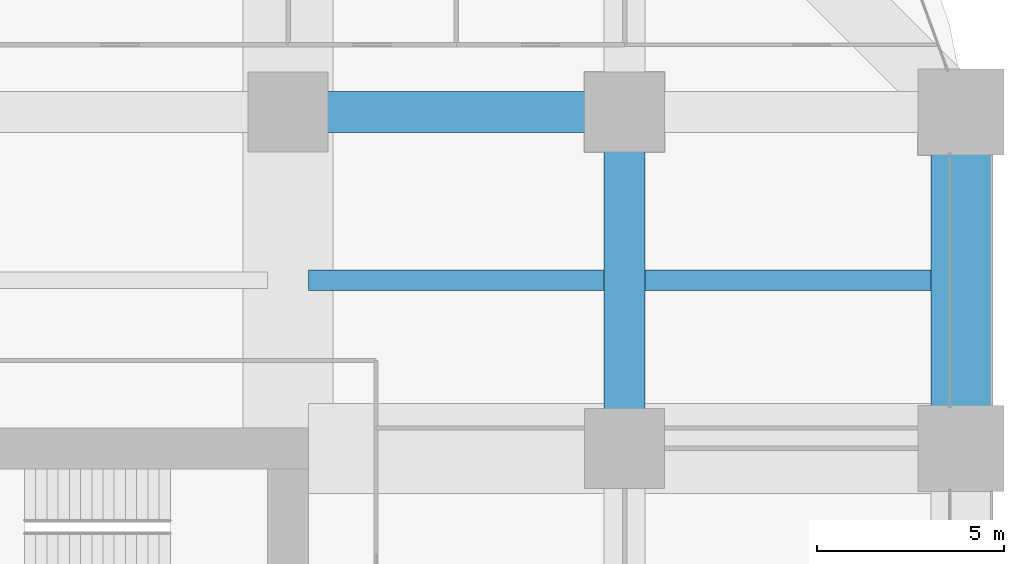
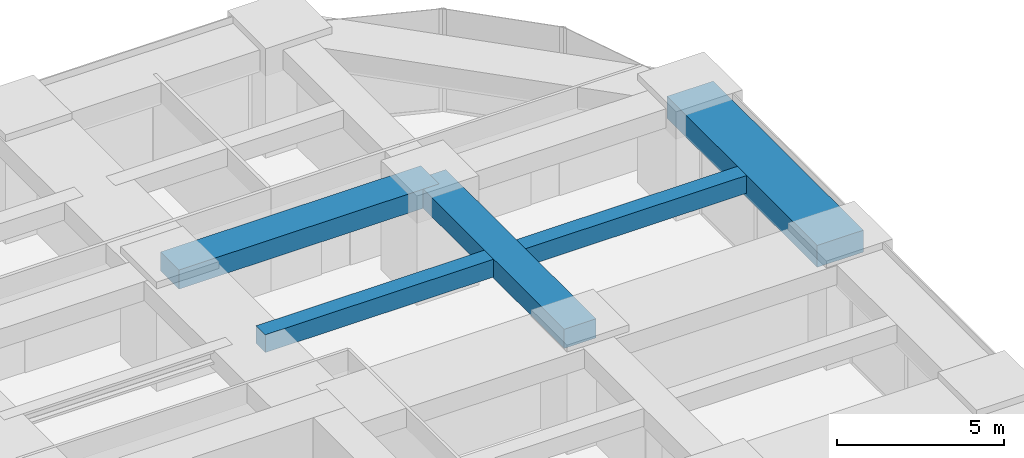
# One storey, part 32 of 43: 5 beams.
"""IFC4 building model written with IfcOpenShell, lengths in metres."""

from ifc_helpers import new_model, si_unit, direction, frame, origin, origin_2d, place, context, subcontext, project, spatial, rectangle, extrude, material, material_profile, profile_set, type_object, element, save


model = new_model("IFC4")

# Units and contexts
model_context = context("Model", 3, precision=1e-05, world=origin(), true_north=direction((0.0, 1.0)))
body_context = subcontext(model_context, "Body", "Model", "MODEL_VIEW")
ifc_project = project(units=[si_unit("LENGTHUNIT", "METRE"), si_unit("AREAUNIT", "SQUARE_METRE"), si_unit("VOLUMEUNIT", "CUBIC_METRE"), si_unit("PLANEANGLEUNIT", "RADIAN"), si_unit("MASSUNIT", "GRAM", prefix="KILO")], contexts=[model_context])

# Site, building, storey
site_placement = place(None, origin())
site = spatial("IfcSite", under=ifc_project, at=site_placement, CompositionType="ELEMENT")
building_placement = place(site_placement, origin())
building = spatial("IfcBuilding", under=site, at=building_placement, Name="Zorevar Civic Tower", CompositionType="ELEMENT")
storey_placement = place(building_placement, frame((0.0, 0.0, 67.800048828125)))
storey = spatial("IfcBuildingStorey", under=building, at=storey_placement, Name="L16", CompositionType="ELEMENT", Elevation=67.800048828125)

# Beams
ifc_material_1 = material(Name="Concrete C50/60", Category="concrete")
ifc_material_profile_1 = material_profile(ifc_material_1, rectangle(XDim=1.10009765625, YDim=0.699951171875, at=origin_2d()), Name="RC 1100x700")
ifc_profile_set_1 = profile_set([ifc_material_profile_1], Name="Concrete C50/60")
beam_type_1 = type_object("IfcBeamType", Name="Beam RC 1100x700", PredefinedType="BEAM", material=ifc_profile_set_1)
for number, where, z_axis, x_axis, name in (
    (1, (45.0, 45.0, 3.39990234375), (1.0, 0.0, 0.0), (0.0, 1.0, 0.0), "Girder L17"),
    (2, (54.0, 36.0, 3.39990234375), (0.0, 1.0, 0.0), (-1.0, 0.0, 0.0), "Girder L17"),
):
    element("IfcBeam", number, at=place(storey_placement, frame(where, z_axis=z_axis, x_axis=x_axis)), inside=storey, type_object=beam_type_1, Name=name, PredefinedType="BEAM", context=body_context, shape_type="SweptSolid", body=[
        extrude(rectangle(XDim=1.10009765625, YDim=0.699951171875, at=origin_2d()), origin(), (0.0, 0.0, 1.0), 9.0),
    ])
ifc_material_2 = material(Name="Concrete C50/60", Category="concrete")
ifc_material_profile_2 = material_profile(ifc_material_2, rectangle(XDim=0.550048828125, YDim=0.64990234375, at=origin_2d()), Name="RC 550x650")
ifc_profile_set_2 = profile_set([ifc_material_profile_2], Name="Concrete C50/60")
beam_type_2 = type_object("IfcBeamType", Name="Beam RC 550x650", PredefinedType="BEAM", material=ifc_profile_set_2)
beam_1_placement = place(storey_placement, frame((45.550048828125, 40.5, 3.425048828125), z_axis=(1.0, 0.0, 0.0), x_axis=(0.0, 1.0, 0.0)))
element("IfcBeam", 3, at=beam_1_placement, inside=storey, type_object=beam_type_2, Name="Secondary beam L17", PredefinedType="BEAM", context=body_context, shape_type="SweptSolid", body=[
    extrude(rectangle(XDim=0.550048828125, YDim=0.64990234375, at=origin_2d()), origin(), (0.0, 0.0, 1.0), 7.89990234375),
])
beam_2_placement = place(storey_placement, frame((54.550048828125, 40.5, 3.425048828125), z_axis=(1.0, 0.0, 0.0), x_axis=(0.0, 1.0, 0.0)))
element("IfcBeam", 4, at=beam_2_placement, inside=storey, type_object=beam_type_2, Name="Secondary beam L17", PredefinedType="BEAM", context=body_context, shape_type="SweptSolid", body=[
    extrude(rectangle(XDim=0.550048828125, YDim=0.64990234375, at=origin_2d()), origin(), (0.0, 0.0, 1.0), 7.64990234375),
])
ifc_material_3 = material(Name="Concrete C50/60", Category="concrete")
ifc_material_profile_3 = material_profile(ifc_material_3, rectangle(XDim=1.60009765625, YDim=0.800048828125, at=origin_2d()), Name="RC 1600x800")
ifc_profile_set_3 = profile_set([ifc_material_profile_3], Name="Concrete C50/60")
beam_type_3 = type_object("IfcBeamType", Name="Edge beam RC 1600x800", PredefinedType="SPANDREL", material=ifc_profile_set_3)
beam_3_placement = place(storey_placement, frame((63.0, 36.0, 3.349853515625), z_axis=(0.0, 1.0, 0.0), x_axis=(-1.0, 0.0, 0.0)))
element("IfcBeam", 5, at=beam_3_placement, inside=storey, type_object=beam_type_3, Name="Edge beam L17", PredefinedType="SPANDREL", context=body_context, shape_type="SweptSolid", body=[
    extrude(rectangle(XDim=1.60009765625, YDim=0.800048828125, at=origin_2d()), origin(), (0.0, 0.0, 1.0), 9.0),
])

save(model, "model.ifc")
